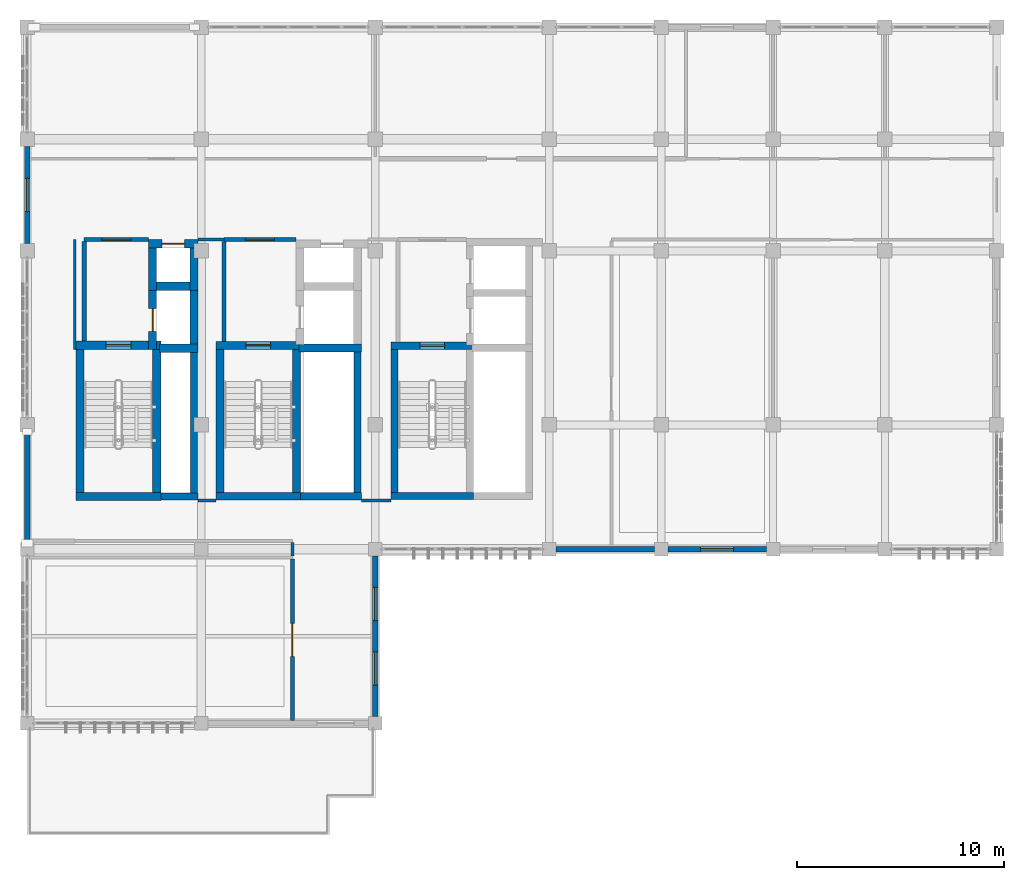
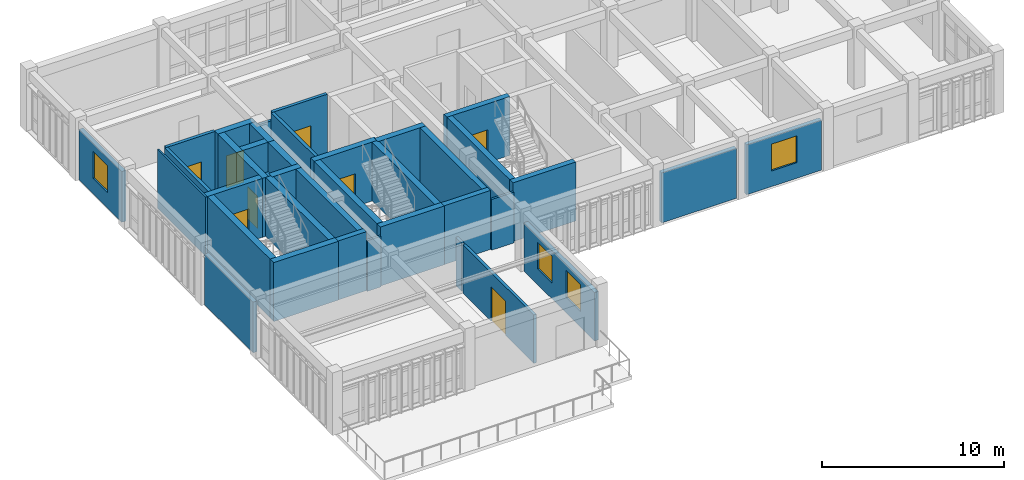
# One storey, part 19 of 23: 38 walls, 8 doors, 4 windows, 12 openings.
"""IFC4 building model written with IfcOpenShell, lengths in metres."""

from ifc_helpers import new_model, si_unit, direction, frame, frame_2d, origin, place, context, subcontext, project, spatial, rectangle, extrude, material, layer, layer_set, type_object, element, fill, save


model = new_model("IFC4")

# Units and contexts
model_context = context("Model", 3, precision=1e-05, world=origin(), true_north=direction((0.0, 1.0)))
body_context = subcontext(model_context, "Body", "Model", "MODEL_VIEW")
ifc_project = project(units=[si_unit("LENGTHUNIT", "METRE"), si_unit("AREAUNIT", "SQUARE_METRE"), si_unit("VOLUMEUNIT", "CUBIC_METRE"), si_unit("PLANEANGLEUNIT", "RADIAN"), si_unit("MASSUNIT", "GRAM", prefix="KILO")], contexts=[model_context])

# Site, building, storey
site_placement = place(None, origin())
site = spatial("IfcSite", under=ifc_project, at=site_placement, CompositionType="ELEMENT")
building_placement = place(site_placement, origin())
building = spatial("IfcBuilding", under=site, at=building_placement, Name="Krzemoval Escarpment Law Courts", CompositionType="ELEMENT")
storey_placement = place(building_placement, frame((0.0, 0.0, 25.199951171875)))
storey = spatial("IfcBuildingStorey", under=building, at=storey_placement, Name="L05", CompositionType="ELEMENT", Elevation=25.199951171875)

# Wall
ifc_material_1 = material(Name="Precast concrete C40/50", Category="concrete")
ifc_layer_1 = layer(ifc_material_1, 0.260009765625)
ifc_layer_set_1 = layer_set([ifc_layer_1], Name="Precast concrete C40/50")
wall_type_1 = type_object("IfcWallType", Name="WL-EXT-260", PredefinedType="SOLIDWALL", material=ifc_layer_set_1)
wall_1_placement = place(storey_placement, frame((126.0, 93.925048828125, 0.0), z_axis=(0.0, 0.0, 1.0), x_axis=(0.0, 1.0, 0.0)))
element("IfcWall", 1, at=wall_1_placement, inside=storey, type_object=wall_type_1, Name="Exterior Wall EW-L05-0430", PredefinedType="SOLIDWALL", context=body_context, shape_type="SweptSolid", body=[
    extrude(rectangle(XDim=5.324951171875, YDim=0.260009765625, at=frame_2d((2.66259765625, 0.0))), origin(), (0.0, 0.0, 1.0), 3.400146484375),
])

# Wall, opening, window
wall_2_placement = place(storey_placement, frame((126.0, 108.35009765625, 0.0), z_axis=(0.0, 0.0, 1.0), x_axis=(0.0, 1.0, 0.0)))
wall_2 = element("IfcWall", 2, at=wall_2_placement, inside=storey, type_object=wall_type_1, Name="Exterior Wall EW-L05-0431", PredefinedType="SOLIDWALL", context=body_context, shape_type="SweptSolid", body=[
    extrude(rectangle(XDim=4.699951171875, YDim=0.260009765625, at=frame_2d((2.35009765625, 0.0))), origin(), (0.0, 0.0, 1.0), 3.400146484375),
])
opening_1_placement = place(wall_2_placement, frame((1.550048828125, 0.0, 1.050048828125)))
opening_1 = element("IfcOpeningElement", 3, at=opening_1_placement, cuts=wall_2, Name="Opening WN-L05-0516", PredefinedType="OPENING", context=body_context, shape_type="SweptSolid", body=[
    extrude(rectangle(XDim=1.60009765625, YDim=1.800048828125, at=frame_2d((0.800048828125, 0.89990234375))), frame((0.0, 0.145, 0.0), z_axis=(0.0, -1.0, 0.0), x_axis=(1.0, 0.0, 0.0)), (0.0, 0.0, 1.0), 0.29001),
])
ifc_material_2 = material(Name="Thermally Broken Aluminium Frame with Triple Low-E Acoustic Glass", Category="aluminium")
window_type = type_object("IfcWindowType", Name="WN-1600x1800", PartitioningType="SINGLE_PANEL", PredefinedType="WINDOW", material=ifc_material_2)
window_1_placement = place(opening_1_placement, origin())
window_1 = element("IfcWindow", 4, at=window_1_placement, inside=storey, type_object=window_type, Name="Facade Window WN-L05-0516", OverallHeight=1.800048828125, OverallWidth=1.60009765625, PartitioningType="SINGLE_PANEL", PredefinedType="WINDOW", context=body_context, shape_type="SweptSolid", body=[
    extrude(rectangle(XDim=1.60009765625, YDim=1.800048828125, at=frame_2d((0.800048828125, 0.89990234375))), frame((0.0, 0.030029296875, 0.0), z_axis=(0.0, -1.0, 0.0), x_axis=(1.0, 0.0, 0.0)), (0.0, 0.0, 1.0), 0.06005859375),
])
fill(opening_1, window_1)

wall_3_placement = place(storey_placement, frame((161.675048828125, 93.60009765625, 0.0), z_axis=(0.0, 0.0, 1.0), x_axis=(-1.0, 0.0, 0.0)))
wall_3 = element("IfcWall", 5, at=wall_3_placement, inside=storey, type_object=wall_type_1, Name="Exterior Wall EW-L05-0438", PredefinedType="SOLIDWALL", context=body_context, shape_type="SweptSolid", body=[
    extrude(rectangle(XDim=4.75, YDim=0.260009765625, at=frame_2d((2.375, 0.0))), origin(), (0.0, 0.0, 1.0), 3.35009765625),
])
opening_2_placement = place(wall_3_placement, frame((1.574951171875, 0.0, 1.050048828125)))
opening_2 = element("IfcOpeningElement", 6, at=opening_2_placement, cuts=wall_3, Name="Opening WN-L05-0523", PredefinedType="OPENING", context=body_context, shape_type="SweptSolid", body=[
    extrude(rectangle(XDim=1.60009765625, YDim=1.800048828125, at=frame_2d((0.800048828125, 0.89990234375))), frame((0.0, 0.145, 0.0), z_axis=(0.0, -1.0, 0.0), x_axis=(1.0, 0.0, 0.0)), (0.0, 0.0, 1.0), 0.29001),
])
window_2_placement = place(opening_2_placement, origin())
window_2 = element("IfcWindow", 7, at=window_2_placement, inside=storey, type_object=window_type, Name="Facade Window WN-L05-0523", OverallHeight=1.800048828125, OverallWidth=1.60009765625, PartitioningType="SINGLE_PANEL", PredefinedType="WINDOW", context=body_context, shape_type="SweptSolid", body=[
    extrude(rectangle(XDim=1.60009765625, YDim=1.800048828125, at=frame_2d((0.800048828125, 0.89990234375))), frame((0.0, 0.030029296875, 0.0), z_axis=(0.0, -1.0, 0.0), x_axis=(1.0, 0.0, 0.0)), (0.0, 0.0, 1.0), 0.06005859375),
])
fill(opening_2, window_2)

# Wall
wall_4_placement = place(storey_placement, frame((156.27490234375, 93.60009765625, 0.0), z_axis=(0.0, 0.0, 1.0), x_axis=(-1.0, 0.0, 0.0)))
element("IfcWall", 8, at=wall_4_placement, inside=storey, type_object=wall_type_1, Name="Exterior Wall EW-L05-0439", PredefinedType="SOLIDWALL", context=body_context, shape_type="SweptSolid", body=[
    extrude(rectangle(XDim=4.75, YDim=0.260009765625, at=frame_2d((2.375, 0.0))), origin(), (0.0, 0.0, 1.0), 3.35009765625),
])

# Wall, openings, windows
wall_5_placement = place(storey_placement, frame((142.800048828125, 93.27490234375, 0.0), z_axis=(0.0, 0.0, 1.0), x_axis=(0.0, -1.0, 0.0)))
wall_5 = element("IfcWall", 9, at=wall_5_placement, inside=storey, type_object=wall_type_1, Name="Exterior Wall EW-L05-0440", PredefinedType="SOLIDWALL", context=body_context, shape_type="SweptSolid", body=[
    extrude(rectangle(XDim=7.75, YDim=0.260009765625, at=frame_2d((3.875, 0.0))), origin(), (0.0, 0.0, 1.0), 3.25),
])
opening_3_placement = place(wall_5_placement, frame((1.51708984375, 0.0, 1.050048828125)))
opening_3 = element("IfcOpeningElement", 10, at=opening_3_placement, cuts=wall_5, Name="Opening WN-L05-0524", PredefinedType="OPENING", context=body_context, shape_type="SweptSolid", body=[
    extrude(rectangle(XDim=1.60009765625, YDim=1.800048828125, at=frame_2d((0.800048828125, 0.89990234375))), frame((0.0, 0.145, 0.0), z_axis=(0.0, -1.0, 0.0), x_axis=(1.0, 0.0, 0.0)), (0.0, 0.0, 1.0), 0.29001),
])
opening_4_placement = place(wall_5_placement, frame((4.633056640625, 0.0, 1.050048828125)))
opening_4 = element("IfcOpeningElement", 11, at=opening_4_placement, cuts=wall_5, Name="Opening WN-L05-0525", PredefinedType="OPENING", context=body_context, shape_type="SweptSolid", body=[
    extrude(rectangle(XDim=1.60009765625, YDim=1.800048828125, at=frame_2d((0.800048828125, 0.89990234375))), frame((0.0, 0.145, 0.0), z_axis=(0.0, -1.0, 0.0), x_axis=(1.0, 0.0, 0.0)), (0.0, 0.0, 1.0), 0.29001),
])
window_3_placement = place(opening_3_placement, origin())
window_3 = element("IfcWindow", 12, at=window_3_placement, inside=storey, type_object=window_type, Name="Facade Window WN-L05-0524", OverallHeight=1.800048828125, OverallWidth=1.60009765625, PartitioningType="SINGLE_PANEL", PredefinedType="WINDOW", context=body_context, shape_type="SweptSolid", body=[
    extrude(rectangle(XDim=1.60009765625, YDim=1.800048828125, at=frame_2d((0.800048828125, 0.89990234375))), frame((0.0, 0.030029296875, 0.0), z_axis=(0.0, -1.0, 0.0), x_axis=(1.0, 0.0, 0.0)), (0.0, 0.0, 1.0), 0.06005859375),
])
fill(opening_3, window_3)
window_4_placement = place(opening_4_placement, origin())
window_4 = element("IfcWindow", 13, at=window_4_placement, inside=storey, type_object=window_type, Name="Facade Window WN-L05-0525", OverallHeight=1.800048828125, OverallWidth=1.60009765625, PartitioningType="SINGLE_PANEL", PredefinedType="WINDOW", context=body_context, shape_type="SweptSolid", body=[
    extrude(rectangle(XDim=1.60009765625, YDim=1.800048828125, at=frame_2d((0.800048828125, 0.89990234375))), frame((0.0, 0.030029296875, 0.0), z_axis=(0.0, -1.0, 0.0), x_axis=(1.0, 0.0, 0.0)), (0.0, 0.0, 1.0), 0.06005859375),
])
fill(opening_4, window_4)

# Walls
ifc_material_3 = material(Name="Light Internal Subdivision Partition", Category="gypsum")
ifc_layer_2 = layer(ifc_material_3, 0.114990234375)
ifc_layer_set_2 = layer_set([ifc_layer_2], Name="Light Internal Subdivision Partition")
wall_type_2 = type_object("IfcWallType", Name="WL-PRT-115", PredefinedType="PARTITIONING", material=ifc_layer_set_2)
wall_6_placement = place(storey_placement, frame((128.300048828125, 103.248046875, 0.0), z_axis=(0.0, 0.0, 1.0), x_axis=(0.0, 1.0, 0.0)))
element("IfcWall", 14, at=wall_6_placement, inside=storey, type_object=wall_type_2, Name="Interior Partition PW-L05-0656", PredefinedType="PARTITIONING", context=body_context, shape_type="SweptSolid", body=[
    extrude(rectangle(XDim=5.302001953125, YDim=0.114990234375, at=frame_2d((2.65087890625, 0.0))), origin(), (0.0, 0.0, 1.0), 3.949951171875),
])
ifc_material_4 = material(Name="Sanitary Moisture-Resistant Partition", Category="gypsum")
ifc_layer_3 = layer(ifc_material_4, 0.139892578125)
ifc_layer_set_3 = layer_set([ifc_layer_3], Name="Sanitary Moisture-Resistant Partition")
wall_type_3 = type_object("IfcWallType", Name="WL-PRT-140", PredefinedType="PARTITIONING", material=ifc_layer_set_3)
wall_7_placement = place(storey_placement, frame((134.25, 95.949951171875, 0.0), z_axis=(0.0, 0.0, 1.0), x_axis=(1.0, 0.0, 0.0)))
element("IfcWall", 15, at=wall_7_placement, inside=storey, type_object=wall_type_3, Name="Interior Partition PW-L05-0642", PredefinedType="PARTITIONING", context=body_context, shape_type="SweptSolid", body=[
    extrude(rectangle(XDim=0.8701171875, YDim=0.139892578125, at=frame_2d((0.43505859375, 0.0))), origin(), (0.0, 0.0, 1.0), 3.400146484375),
])
wall_8_placement = place(storey_placement, frame((142.1298828125, 95.949951171875, 0.0), z_axis=(0.0, 0.0, 1.0), x_axis=(1.0, 0.0, 0.0)))
element("IfcWall", 16, at=wall_8_placement, inside=storey, type_object=wall_type_3, Name="Interior Partition PW-L05-0643", PredefinedType="PARTITIONING", context=body_context, shape_type="SweptSolid", body=[
    extrude(rectangle(XDim=1.420166015625, YDim=0.139892578125, at=frame_2d((0.7099609375, 0.0))), origin(), (0.0, 0.0, 1.0), 3.400146484375),
])
ifc_material_5 = material(Name="Office Acoustic Partition Wall", Category="gypsum")
ifc_layer_4 = layer(ifc_material_5, 0.14990234375)
ifc_layer_set_4 = layer_set([ifc_layer_4], Name="Office Acoustic Partition Wall")
wall_type_4 = type_object("IfcWallType", Name="WL-PRT-150", PredefinedType="PARTITIONING", material=ifc_layer_set_4)
wall_9_placement = place(storey_placement, frame((138.800048828125, 93.277099609375, 0.0), z_axis=(0.0, 0.0, 1.0), x_axis=(0.0, 1.0, 0.0)))
element("IfcWall", 17, at=wall_9_placement, inside=storey, type_object=wall_type_4, Name="Interior Partition PW-L05-0660", PredefinedType="PARTITIONING", context=body_context, shape_type="SweptSolid", body=[
    extrude(rectangle(XDim=0.64599609375, YDim=0.14990234375, at=frame_2d((0.322998046875, 0.0))), origin(), (0.0, 0.0, 1.0), 3.25),
])
ifc_material_6 = material(Name="Jury Suite Partition Assembly", Category="gypsum")
ifc_layer_5 = layer(ifc_material_6, 0.159912109375)
ifc_layer_set_5 = layer_set([ifc_layer_5], Name="Jury Suite Partition Assembly")
wall_type_5 = type_object("IfcWallType", Name="WL-PRT-160", PredefinedType="PARTITIONING", material=ifc_layer_set_5)
wall_10_placement = place(storey_placement, frame((134.25, 108.550048828125, 0.0), z_axis=(0.0, 0.0, 1.0), x_axis=(1.0, 0.0, 0.0)))
element("IfcWall", 18, at=wall_10_placement, inside=storey, type_object=wall_type_5, Name="Interior Partition PW-L05-0647", PredefinedType="PARTITIONING", context=body_context, shape_type="SweptSolid", body=[
    extrude(rectangle(XDim=1.25, YDim=0.159912109375, at=frame_2d((0.625, 0.0))), origin(), (0.0, 0.0, 1.0), 3.400146484375),
])

# Wall, opening, door
ifc_material_7 = material(Name="Judicial Chambers Acoustic Partition", Category="gypsum")
ifc_layer_6 = layer(ifc_material_7, 0.179931640625)
ifc_layer_set_6 = layer_set([ifc_layer_6], Name="Judicial Chambers Acoustic Partition")
wall_type_6 = type_object("IfcWallType", Name="WL-PRT-180", PredefinedType="PARTITIONING", material=ifc_layer_set_6)
wall_11_placement = place(storey_placement, frame((138.800048828125, 85.33203125, 0.0), z_axis=(0.0, 0.0, 1.0), x_axis=(0.0, 1.0, 0.0)))
wall_11 = element("IfcWall", 19, at=wall_11_placement, inside=storey, type_object=wall_type_6, Name="Interior Partition PW-L05-0659", PredefinedType="PARTITIONING", context=body_context, shape_type="SweptSolid", body=[
    extrude(rectangle(XDim=7.791015625, YDim=0.179931640625, at=frame_2d((3.8955078125, 0.0))), origin(), (0.0, 0.0, 1.0), 3.25),
])
opening_5_placement = place(wall_11_placement, frame((3.095947265625, 0.0, 0.0)))
opening_5 = element("IfcOpeningElement", 20, at=opening_5_placement, cuts=wall_11, Name="Opening D-L05-0221", PredefinedType="OPENING", context=body_context, shape_type="SweptSolid", body=[
    extrude(rectangle(XDim=1.60009765625, YDim=2.300048828125, at=frame_2d((0.800048828125, 1.14990234375))), frame((0.0, 0.10497, 0.0), z_axis=(0.0, -1.0, 0.0), x_axis=(1.0, 0.0, 0.0)), (0.0, 0.0, 1.0), 0.20993),
])
ifc_material_8 = material(Name="Engineered Solid-Core Oak Acoustic Timber", Category="wood")
door_type_1 = type_object("IfcDoorType", Name="DR-CRT-1600x2300", OperationType="SINGLE_SWING_LEFT", PredefinedType="DOOR", material=ifc_material_8)
door_1_placement = place(opening_5_placement, origin())
door_1 = element("IfcDoor", 21, at=door_1_placement, inside=storey, type_object=door_type_1, Name="Room Door D-L05-0221", OperationType="SINGLE_SWING_LEFT", OverallHeight=2.300048828125, OverallWidth=1.60009765625, PredefinedType="DOOR", context=body_context, shape_type="SweptSolid", body=[
    extrude(rectangle(XDim=1.60009765625, YDim=2.300048828125, at=frame_2d((0.800048828125, 1.14990234375))), frame((0.0, 0.02490234375, 0.0), z_axis=(0.0, -1.0, 0.0), x_axis=(1.0, 0.0, 0.0)), (0.0, 0.0, 1.0), 0.050048828125),
])
fill(opening_5, door_1)

ifc_material_9 = material(Name="Fire-Rated Corridor Partition Wall", Category="gypsum")
ifc_layer_7 = layer(ifc_material_9, 0.199951171875)
ifc_layer_set_7 = layer_set([ifc_layer_7], Name="Fire-Rated Corridor Partition Wall")
wall_type_7 = type_object("IfcWallType", Name="WL-PRT-200", PredefinedType="PARTITIONING", material=ifc_layer_set_7)
wall_12_placement = place(storey_placement, frame((128.75, 108.550048828125, 0.0), z_axis=(0.0, 0.0, 1.0), x_axis=(1.0, 0.0, 0.0)))
wall_12 = element("IfcWall", 22, at=wall_12_placement, inside=storey, type_object=wall_type_7, Name="Interior Partition PW-L05-0644", PredefinedType="PARTITIONING", context=body_context, shape_type="SweptSolid", body=[
    extrude(rectangle(XDim=3.10009765625, YDim=0.199951171875, at=frame_2d((1.550048828125, 0.0))), origin(), (0.0, 0.0, 1.0), 3.949951171875),
])
opening_6_placement = place(wall_12_placement, frame((0.85009765625, 0.0, 0.0)))
opening_6 = element("IfcOpeningElement", 23, at=opening_6_placement, cuts=wall_12, Name="Opening D-L05-0218", PredefinedType="OPENING", context=body_context, shape_type="SweptSolid", body=[
    extrude(rectangle(XDim=1.39990234375, YDim=2.199951171875, at=frame_2d((0.699951171875, 1.10009765625))), frame((0.0, 0.11498, 0.0), z_axis=(0.0, -1.0, 0.0), x_axis=(1.0, 0.0, 0.0)), (0.0, 0.0, 1.0), 0.22995),
])
ifc_material_10 = material(Name="Galvanised Steel S355", Category="steel")
door_type_2 = type_object("IfcDoorType", Name="DR-FFL-1400x2200", OperationType="SINGLE_SWING_LEFT", PredefinedType="DOOR", material=ifc_material_10)
door_2_placement = place(opening_6_placement, origin())
door_2 = element("IfcDoor", 24, at=door_2_placement, inside=storey, type_object=door_type_2, Name="Room Door D-L05-0218", OperationType="SINGLE_SWING_LEFT", OverallHeight=2.199951171875, OverallWidth=1.39990234375, PredefinedType="DOOR", context=body_context, shape_type="SweptSolid", body=[
    extrude(rectangle(XDim=1.39990234375, YDim=2.199951171875, at=frame_2d((0.699951171875, 1.10009765625))), frame((0.0, 0.02490234375, 0.0), z_axis=(0.0, -1.0, 0.0), x_axis=(1.0, 0.0, 0.0)), (0.0, 0.0, 1.0), 0.050048828125),
])
fill(opening_6, door_2)

wall_13_placement = place(storey_placement, frame((135.5, 108.550048828125, 0.0), z_axis=(0.0, 0.0, 1.0), x_axis=(1.0, 0.0, 0.0)))
wall_13 = element("IfcWall", 25, at=wall_13_placement, inside=storey, type_object=wall_type_7, Name="Interior Partition PW-L05-0645", PredefinedType="PARTITIONING", context=body_context, shape_type="SweptSolid", body=[
    extrude(rectangle(XDim=3.469970703125, YDim=0.199951171875, at=frame_2d((1.73486328125, 0.0))), origin(), (0.0, 0.0, 1.0), 3.949951171875),
])
opening_7_placement = place(wall_13_placement, frame((1.034912109375, 0.0, 0.0)))
opening_7 = element("IfcOpeningElement", 26, at=opening_7_placement, cuts=wall_13, Name="Opening D-L05-0219", PredefinedType="OPENING", context=body_context, shape_type="SweptSolid", body=[
    extrude(rectangle(XDim=1.39990234375, YDim=2.199951171875, at=frame_2d((0.699951171875, 1.10009765625))), frame((0.0, 0.11498, 0.0), z_axis=(0.0, -1.0, 0.0), x_axis=(1.0, 0.0, 0.0)), (0.0, 0.0, 1.0), 0.22995),
])
door_3_placement = place(opening_7_placement, origin())
door_3 = element("IfcDoor", 27, at=door_3_placement, inside=storey, type_object=door_type_2, Name="Room Door D-L05-0219", OperationType="SINGLE_SWING_LEFT", OverallHeight=2.199951171875, OverallWidth=1.39990234375, PredefinedType="DOOR", context=body_context, shape_type="SweptSolid", body=[
    extrude(rectangle(XDim=1.39990234375, YDim=2.199951171875, at=frame_2d((0.699951171875, 1.10009765625))), frame((0.0, 0.02490234375, 0.0), z_axis=(0.0, -1.0, 0.0), x_axis=(1.0, 0.0, 0.0)), (0.0, 0.0, 1.0), 0.050048828125),
])
fill(opening_7, door_3)

# Walls
wall_14_placement = place(storey_placement, frame((128.75, 103.652099609375, 0.0), z_axis=(0.0, 0.0, 1.0), x_axis=(0.0, 1.0, 0.0)))
element("IfcWall", 28, at=wall_14_placement, inside=storey, type_object=wall_type_7, Name="Interior Partition PW-L05-0657", PredefinedType="PARTITIONING", context=body_context, shape_type="SweptSolid", body=[
    extrude(rectangle(XDim=4.7958984375, YDim=0.199951171875, at=frame_2d((2.39794921875, 0.0))), origin(), (0.0, 0.0, 1.0), 3.949951171875),
])
wall_15_placement = place(storey_placement, frame((135.5, 103.632080078125, 0.0), z_axis=(0.0, 0.0, 1.0), x_axis=(0.0, 1.0, 0.0)))
element("IfcWall", 29, at=wall_15_placement, inside=storey, type_object=wall_type_7, Name="Interior Partition PW-L05-0658", PredefinedType="PARTITIONING", context=body_context, shape_type="SweptSolid", body=[
    extrude(rectangle(XDim=4.81591796875, YDim=0.199951171875, at=frame_2d((2.407958984375, 0.0))), origin(), (0.0, 0.0, 1.0), 3.949951171875),
])
ifc_material_11 = material(Name="Concrete C40/50", Category="concrete")
ifc_layer_8 = layer(ifc_material_11, 0.35009765625)
ifc_layer_set_8 = layer_set([ifc_layer_8], Name="Concrete C40/50")
wall_type_8 = type_object("IfcWallType", Name="WL-SHW-350", PredefinedType="SHEAR", material=ifc_layer_set_8)
wall_16_placement = place(storey_placement, frame((132.449951171875, 96.14990234375, 0.0), z_axis=(0.0, 0.0, 1.0), x_axis=(1.0, 0.0, 0.0)))
element("IfcWall", 30, at=wall_16_placement, inside=storey, type_object=wall_type_8, Name="Riser Shaft Wall SW-L05-0090", PredefinedType="SHEAR", context=body_context, shape_type="SweptSolid", body=[
    extrude(rectangle(XDim=1.800048828125, YDim=0.35009765625, at=frame_2d((0.89990234375, 0.0))), origin(), (0.0, 0.0, 1.0), 3.949951171875),
])
wall_17_placement = place(storey_placement, frame((134.050048828125, 96.320068359375, 0.0), z_axis=(0.0, 0.0, 1.0), x_axis=(0.0, 1.0, 0.0)))
element("IfcWall", 31, at=wall_17_placement, inside=storey, type_object=wall_type_8, Name="Riser Shaft Wall SW-L05-0091", PredefinedType="SHEAR", context=body_context, shape_type="SweptSolid", body=[
    extrude(rectangle(XDim=7.18701171875, YDim=0.35009765625, at=frame_2d((3.593505859375, 0.0))), origin(), (0.0, 0.0, 1.0), 3.949951171875),
])
wall_18_placement = place(storey_placement, frame((139.179931640625, 96.159912109375, 0.0), z_axis=(0.0, 0.0, 1.0), x_axis=(1.0, 0.0, 0.0)))
element("IfcWall", 32, at=wall_18_placement, inside=storey, type_object=wall_type_8, Name="Riser Shaft Wall SW-L05-0240", PredefinedType="SHEAR", context=body_context, shape_type="SweptSolid", body=[
    extrude(rectangle(XDim=2.949951171875, YDim=0.35009765625, at=frame_2d((1.47509765625, 0.0))), origin(), (0.0, 0.0, 1.0), 3.949951171875),
])
wall_19_placement = place(storey_placement, frame((141.93994140625, 96.330078125, 0.0), z_axis=(0.0, 0.0, 1.0), x_axis=(0.0, 1.0, 0.0)))
element("IfcWall", 33, at=wall_19_placement, inside=storey, type_object=wall_type_8, Name="Riser Shaft Wall SW-L05-0241", PredefinedType="SHEAR", context=body_context, shape_type="SweptSolid", body=[
    extrude(rectangle(XDim=7.177001953125, YDim=0.35009765625, at=frame_2d((3.58837890625, 0.0))), origin(), (0.0, 0.0, 1.0), 3.949951171875),
])

# Wall, opening, door
wall_20_placement = place(storey_placement, frame((143.550048828125, 103.425048828125, 0.0), z_axis=(0.0, 0.0, 1.0), x_axis=(1.0, 0.0, 0.0)))
wall_20 = element("IfcWall", 34, at=wall_20_placement, inside=storey, type_object=wall_type_8, Name="Core Stair Shear Wall SW-L05-0379", PredefinedType="SHEAR", context=body_context, shape_type="SweptSolid", body=[
    extrude(rectangle(XDim=4.0, YDim=0.35009765625, at=frame_2d((2.0, 0.0))), origin(), (0.0, 0.0, 1.0), 3.949951171875),
])
opening_8_placement = place(wall_20_placement, frame((1.39990234375, 0.0, 0.0)))
opening_8 = element("IfcOpeningElement", 35, at=opening_8_placement, cuts=wall_20, Name="Opening SD-ST3-L05", PredefinedType="OPENING", context=body_context, shape_type="SweptSolid", body=[
    extrude(rectangle(XDim=1.199951171875, YDim=2.199951171875, at=frame_2d((0.60009765625, 1.10009765625))), frame((0.0, 0.19005, 0.0), z_axis=(0.0, -1.0, 0.0), x_axis=(1.0, 0.0, 0.0)), (0.0, 0.0, 1.0), 0.3801),
])
ifc_material_12 = material(Name="Galvanised Steel S355", Category="steel")
door_type_3 = type_object("IfcDoorType", Name="DR-STR-1200x2200", OperationType="SINGLE_SWING_LEFT", PredefinedType="DOOR", material=ifc_material_12)
door_4_placement = place(opening_8_placement, origin())
door_4 = element("IfcDoor", 36, at=door_4_placement, inside=storey, type_object=door_type_3, Name="Stair Exit Door SD-ST3-L05", OperationType="SINGLE_SWING_RIGHT", OverallHeight=2.199951171875, OverallWidth=1.199951171875, PredefinedType="DOOR", context=body_context, shape_type="SweptSolid", body=[
    extrude(rectangle(XDim=1.199951171875, YDim=2.199951171875, at=frame_2d((0.60009765625, 1.10009765625))), frame((0.0, 0.02490234375, 0.0), z_axis=(0.0, -1.0, 0.0), x_axis=(1.0, 0.0, 0.0)), (0.0, 0.0, 1.0), 0.050048828125),
])
fill(opening_8, door_4)

# Walls
wall_21_placement = place(storey_placement, frame((143.550048828125, 96.175048828125, 0.0), z_axis=(0.0, 0.0, 1.0), x_axis=(1.0, 0.0, 0.0)))
element("IfcWall", 37, at=wall_21_placement, inside=storey, type_object=wall_type_8, Name="Core Stair Shear Wall SW-L05-0380", PredefinedType="SHEAR", context=body_context, shape_type="SweptSolid", body=[
    extrude(rectangle(XDim=4.0, YDim=0.35009765625, at=frame_2d((2.0, 0.0))), origin(), (0.0, 0.0, 1.0), 3.949951171875),
])
wall_22_placement = place(storey_placement, frame((143.72509765625, 96.35205078125, 0.0), z_axis=(0.0, 0.0, 1.0), x_axis=(0.0, 1.0, 0.0)))
element("IfcWall", 38, at=wall_22_placement, inside=storey, type_object=wall_type_8, Name="Core Stair Shear Wall SW-L05-0381", PredefinedType="SHEAR", context=body_context, shape_type="SweptSolid", body=[
    extrude(rectangle(XDim=6.89599609375, YDim=0.35009765625, at=frame_2d((3.447998046875, 0.0))), origin(), (0.0, 0.0, 1.0), 3.949951171875),
])

# Wall, opening, door
ifc_material_13 = material(Name="Concrete C40/50", Category="concrete")
ifc_layer_9 = layer(ifc_material_13, 0.3798828125)
ifc_layer_set_9 = layer_set([ifc_layer_9], Name="Concrete C40/50")
wall_type_9 = type_object("IfcWallType", Name="WL-SHW-380", PredefinedType="SHEAR", material=ifc_layer_set_9)
wall_23_placement = place(storey_placement, frame((135.1201171875, 103.43994140625, 0.0), z_axis=(0.0, 0.0, 1.0), x_axis=(1.0, 0.0, 0.0)))
wall_23 = element("IfcWall", 39, at=wall_23_placement, inside=storey, type_object=wall_type_9, Name="Core Stair Shear Wall SW-L05-0229", PredefinedType="SHEAR", context=body_context, shape_type="SweptSolid", body=[
    extrude(rectangle(XDim=4.059814453125, YDim=0.3798828125, at=frame_2d((2.02978515625, 0.0))), origin(), (0.0, 0.0, 1.0), 3.949951171875),
])
opening_9_placement = place(wall_23_placement, frame((1.429931640625, 0.0, 0.0)))
opening_9 = element("IfcOpeningElement", 40, at=opening_9_placement, cuts=wall_23, Name="Opening SD-ST2-L05", PredefinedType="OPENING", context=body_context, shape_type="SweptSolid", body=[
    extrude(rectangle(XDim=1.199951171875, YDim=2.199951171875, at=frame_2d((0.60009765625, 1.10009765625))), frame((0.0, 0.20494, 0.0), z_axis=(0.0, -1.0, 0.0), x_axis=(1.0, 0.0, 0.0)), (0.0, 0.0, 1.0), 0.40988),
])
door_5_placement = place(opening_9_placement, origin())
door_5 = element("IfcDoor", 41, at=door_5_placement, inside=storey, type_object=door_type_3, Name="Stair Exit Door SD-ST2-L05", OperationType="SINGLE_SWING_LEFT", OverallHeight=2.199951171875, OverallWidth=1.199951171875, PredefinedType="DOOR", context=body_context, shape_type="SweptSolid", body=[
    extrude(rectangle(XDim=1.199951171875, YDim=2.199951171875, at=frame_2d((0.60009765625, 1.10009765625))), frame((0.0, 0.02490234375, 0.0), z_axis=(0.0, -1.0, 0.0), x_axis=(1.0, 0.0, 0.0)), (0.0, 0.0, 1.0), 0.050048828125),
])
fill(opening_9, door_5)

# Walls
wall_24_placement = place(storey_placement, frame((135.1201171875, 96.159912109375, 0.0), z_axis=(0.0, 0.0, 1.0), x_axis=(1.0, 0.0, 0.0)))
element("IfcWall", 42, at=wall_24_placement, inside=storey, type_object=wall_type_9, Name="Core Stair Shear Wall SW-L05-0230", PredefinedType="SHEAR", context=body_context, shape_type="SweptSolid", body=[
    extrude(rectangle(XDim=4.059814453125, YDim=0.3798828125, at=frame_2d((2.02978515625, 0.0))), origin(), (0.0, 0.0, 1.0), 3.949951171875),
])
for number, where, z_axis, x_axis, name in (
    (43, (135.31005859375, 96.35205078125, 0.0), (0.0, 0.0, 1.0), (0.0, 1.0, 0.0), "Core Stair Shear Wall SW-L05-0231"),
    (44, (138.989990234375, 96.35205078125, 0.0), (0.0, 0.0, 1.0), (0.0, 1.0, 0.0), "Core Stair Shear Wall SW-L05-0232"),
):
    element("IfcWall", number, at=place(storey_placement, frame(where, z_axis=z_axis, x_axis=x_axis)), inside=storey, type_object=wall_type_9, Name=name, PredefinedType="SHEAR", context=body_context, shape_type="SweptSolid", body=[
        extrude(rectangle(XDim=6.89599609375, YDim=0.3798828125, at=frame_2d((3.447998046875, 0.0))), origin(), (0.0, 0.0, 1.0), 3.949951171875),
    ])
wall_25_placement = place(storey_placement, frame((139.113037109375, 103.31005859375, 0.0), z_axis=(0.0, 0.0, 1.0), x_axis=(1.0, 0.0, 0.0)))
element("IfcWall", 45, at=wall_25_placement, inside=storey, type_object=wall_type_9, Name="Lift Shaft Shear Wall SW-L05-0233", PredefinedType="SHEAR", context=body_context, shape_type="SweptSolid", body=[
    extrude(rectangle(XDim=3.016845703125, YDim=0.3798828125, at=frame_2d((1.50830078125, 0.0))), origin(), (0.0, 0.0, 1.0), 3.949951171875),
])

# Wall, opening, door
ifc_material_14 = material(Name="Concrete C40/50", Category="concrete")
ifc_layer_10 = layer(ifc_material_14, 0.39990234375)
ifc_layer_set_10 = layer_set([ifc_layer_10], Name="Concrete C40/50")
wall_type_10 = type_object("IfcWallType", Name="WL-SHW-400", PredefinedType="SHEAR", material=ifc_layer_set_10)
wall_26_placement = place(storey_placement, frame((128.35009765625, 103.449951171875, 0.0), z_axis=(0.0, 0.0, 1.0), x_axis=(1.0, 0.0, 0.0)))
wall_26 = element("IfcWall", 46, at=wall_26_placement, inside=storey, type_object=wall_type_10, Name="Core Stair Shear Wall SW-L05-0079", PredefinedType="SHEAR", context=body_context, shape_type="SweptSolid", body=[
    extrude(rectangle(XDim=4.099853515625, YDim=0.39990234375, at=frame_2d((2.0498046875, 0.0))), origin(), (0.0, 0.0, 1.0), 3.949951171875),
])
opening_10_placement = place(wall_26_placement, frame((1.449951171875, 0.0, 0.0)))
opening_10 = element("IfcOpeningElement", 47, at=opening_10_placement, cuts=wall_26, Name="Opening SD-ST1-L05", PredefinedType="OPENING", context=body_context, shape_type="SweptSolid", body=[
    extrude(rectangle(XDim=1.199951171875, YDim=2.199951171875, at=frame_2d((0.60009765625, 1.10009765625))), frame((0.0, 0.21495, 0.0), z_axis=(0.0, -1.0, 0.0), x_axis=(1.0, 0.0, 0.0)), (0.0, 0.0, 1.0), 0.4299),
])
door_6_placement = place(opening_10_placement, origin())
door_6 = element("IfcDoor", 48, at=door_6_placement, inside=storey, type_object=door_type_3, Name="Stair Exit Door SD-ST1-L05", OperationType="SINGLE_SWING_RIGHT", OverallHeight=2.199951171875, OverallWidth=1.199951171875, PredefinedType="DOOR", context=body_context, shape_type="SweptSolid", body=[
    extrude(rectangle(XDim=1.199951171875, YDim=2.199951171875, at=frame_2d((0.60009765625, 1.10009765625))), frame((0.0, 0.02490234375, 0.0), z_axis=(0.0, -1.0, 0.0), x_axis=(1.0, 0.0, 0.0)), (0.0, 0.0, 1.0), 0.050048828125),
])
fill(opening_10, door_6)

# Walls
wall_27_placement = place(storey_placement, frame((128.35009765625, 96.14990234375, 0.0), z_axis=(0.0, 0.0, 1.0), x_axis=(1.0, 0.0, 0.0)))
element("IfcWall", 49, at=wall_27_placement, inside=storey, type_object=wall_type_10, Name="Core Stair Shear Wall SW-L05-0080", PredefinedType="SHEAR", context=body_context, shape_type="SweptSolid", body=[
    extrude(rectangle(XDim=4.099853515625, YDim=0.39990234375, at=frame_2d((2.0498046875, 0.0))), origin(), (0.0, 0.0, 1.0), 3.949951171875),
])
for number, where, z_axis, x_axis, name in (
    (50, (128.550048828125, 96.35205078125, 0.0), (0.0, 0.0, 1.0), (0.0, 1.0, 0.0), "Core Stair Shear Wall SW-L05-0081"),
    (51, (132.25, 96.35205078125, 0.0), (0.0, 0.0, 1.0), (0.0, 1.0, 0.0), "Core Stair Shear Wall SW-L05-0082"),
):
    element("IfcWall", number, at=place(storey_placement, frame(where, z_axis=z_axis, x_axis=x_axis)), inside=storey, type_object=wall_type_10, Name=name, PredefinedType="SHEAR", context=body_context, shape_type="SweptSolid", body=[
        extrude(rectangle(XDim=6.89599609375, YDim=0.39990234375, at=frame_2d((3.447998046875, 0.0))), origin(), (0.0, 0.0, 1.0), 3.949951171875),
    ])
wall_28_placement = place(storey_placement, frame((132.39306640625, 103.300048828125, 0.0), z_axis=(0.0, 0.0, 1.0), x_axis=(1.0, 0.0, 0.0)))
element("IfcWall", 52, at=wall_28_placement, inside=storey, type_object=wall_type_10, Name="Lift Shaft Shear Wall SW-L05-0083", PredefinedType="SHEAR", context=body_context, shape_type="SweptSolid", body=[
    extrude(rectangle(XDim=1.85693359375, YDim=0.39990234375, at=frame_2d((0.928466796875, 0.0))), origin(), (0.0, 0.0, 1.0), 3.949951171875),
])
wall_29_placement = place(storey_placement, frame((131.85009765625, 106.300048828125, 0.0), z_axis=(0.0, 0.0, 1.0), x_axis=(1.0, 0.0, 0.0)))
element("IfcWall", 53, at=wall_29_placement, inside=storey, type_object=wall_type_10, Name="Lift Shaft Shear Wall SW-L05-0084", PredefinedType="SHEAR", context=body_context, shape_type="SweptSolid", body=[
    extrude(rectangle(XDim=2.39990234375, YDim=0.39990234375, at=frame_2d((1.199951171875, 0.0))), origin(), (0.0, 0.0, 1.0), 3.949951171875),
])

# Wall, opening, door
wall_30_placement = place(storey_placement, frame((132.050048828125, 103.242919921875, 0.0), z_axis=(0.0, 0.0, 1.0), x_axis=(0.0, 1.0, 0.0)))
wall_30 = element("IfcWall", 54, at=wall_30_placement, inside=storey, type_object=wall_type_10, Name="Lift Shaft Shear Wall SW-L05-0085", PredefinedType="SHEAR", context=body_context, shape_type="SweptSolid", body=[
    extrude(rectangle(XDim=2.85498046875, YDim=0.39990234375, at=frame_2d((1.427490234375, 0.0))), origin(), (0.0, 0.0, 1.0), 3.949951171875),
])
opening_11_placement = place(wall_30_placement, frame((0.8779296875, 0.0, 0.0)))
opening_11 = element("IfcOpeningElement", 55, at=opening_11_placement, cuts=wall_30, Name="Opening LD-FL1-L05", PredefinedType="OPENING", context=body_context, shape_type="SweptSolid", body=[
    extrude(rectangle(XDim=1.10009765625, YDim=2.14990234375, at=frame_2d((0.550048828125, 1.074951171875))), frame((0.0, 0.21495, 0.0), z_axis=(0.0, -1.0, 0.0), x_axis=(1.0, 0.0, 0.0)), (0.0, 0.0, 1.0), 0.4299),
])
ifc_material_15 = material(Name="Stainless Steel Grade 304", Category="steel")
door_type_4 = type_object("IfcDoorType", Name="DR-LFT-1100x2150", OperationType="SINGLE_SWING_LEFT", PredefinedType="DOOR", material=ifc_material_15)
door_7_placement = place(opening_11_placement, origin())
door_7 = element("IfcDoor", 56, at=door_7_placement, inside=storey, type_object=door_type_4, Name="Lift Landing Door LD-FL1-L05", OperationType="DOUBLE_DOOR_SLIDING", OverallHeight=2.14990234375, OverallWidth=1.10009765625, PredefinedType="DOOR", context=body_context, shape_type="SweptSolid", body=[
    extrude(rectangle(XDim=1.10009765625, YDim=2.14990234375, at=frame_2d((0.550048828125, 1.074951171875))), frame((0.0, 0.02490234375, 0.0), z_axis=(0.0, -1.0, 0.0), x_axis=(1.0, 0.0, 0.0)), (0.0, 0.0, 1.0), 0.050048828125),
])
fill(opening_11, door_7)

# Wall
wall_31_placement = place(storey_placement, frame((134.050048828125, 103.501953125, 0.0), z_axis=(0.0, 0.0, 1.0), x_axis=(0.0, 1.0, 0.0)))
element("IfcWall", 57, at=wall_31_placement, inside=storey, type_object=wall_type_10, Name="Lift Shaft Shear Wall SW-L05-0086", PredefinedType="SHEAR", context=body_context, shape_type="SweptSolid", body=[
    extrude(rectangle(XDim=2.595947265625, YDim=0.39990234375, at=frame_2d((1.2978515625, 0.0))), origin(), (0.0, 0.0, 1.0), 3.949951171875),
])

# Wall, opening, door
wall_32_placement = place(storey_placement, frame((131.85009765625, 108.35009765625, 0.0), z_axis=(0.0, 0.0, 1.0), x_axis=(1.0, 0.0, 0.0)))
wall_32 = element("IfcWall", 58, at=wall_32_placement, inside=storey, type_object=wall_type_10, Name="Lift Shaft Shear Wall SW-L05-0087", PredefinedType="SHEAR", context=body_context, shape_type="SweptSolid", body=[
    extrude(rectangle(XDim=2.39990234375, YDim=0.39990234375, at=frame_2d((1.199951171875, 0.0))), origin(), (0.0, 0.0, 1.0), 3.949951171875),
])
opening_12_placement = place(wall_32_placement, frame((0.64990234375, 0.0, 0.0)))
opening_12 = element("IfcOpeningElement", 59, at=opening_12_placement, cuts=wall_32, Name="Opening LD-JL1-L05", PredefinedType="OPENING", context=body_context, shape_type="SweptSolid", body=[
    extrude(rectangle(XDim=1.10009765625, YDim=2.14990234375, at=frame_2d((0.550048828125, 1.074951171875))), frame((0.0, 0.21495, 0.0), z_axis=(0.0, -1.0, 0.0), x_axis=(1.0, 0.0, 0.0)), (0.0, 0.0, 1.0), 0.4299),
])
door_8_placement = place(opening_12_placement, origin())
door_8 = element("IfcDoor", 60, at=door_8_placement, inside=storey, type_object=door_type_4, Name="Lift Landing Door LD-JL1-L05", OperationType="DOUBLE_DOOR_SLIDING", OverallHeight=2.14990234375, OverallWidth=1.10009765625, PredefinedType="DOOR", context=body_context, shape_type="SweptSolid", body=[
    extrude(rectangle(XDim=1.10009765625, YDim=2.14990234375, at=frame_2d((0.550048828125, 1.074951171875))), frame((0.0, 0.02490234375, 0.0), z_axis=(0.0, -1.0, 0.0), x_axis=(1.0, 0.0, 0.0)), (0.0, 0.0, 1.0), 0.050048828125),
])
fill(opening_12, door_8)

# Walls
for number, where, z_axis, x_axis, name in (
    (61, (132.050048828125, 106.093017578125, 0.0), (0.0, 0.0, 1.0), (0.0, 1.0, 0.0), "Lift Shaft Shear Wall SW-L05-0088"),
    (62, (134.050048828125, 106.093017578125, 0.0), (0.0, 0.0, 1.0), (0.0, 1.0, 0.0), "Lift Shaft Shear Wall SW-L05-0089"),
):
    element("IfcWall", number, at=place(storey_placement, frame(where, z_axis=z_axis, x_axis=x_axis)), inside=storey, type_object=wall_type_10, Name=name, PredefinedType="SHEAR", context=body_context, shape_type="SweptSolid", body=[
        extrude(rectangle(XDim=2.054931640625, YDim=0.39990234375, at=frame_2d((1.02734375, 0.0))), origin(), (0.0, 0.0, 1.0), 3.949951171875),
    ])

save(model, "model.ifc")
